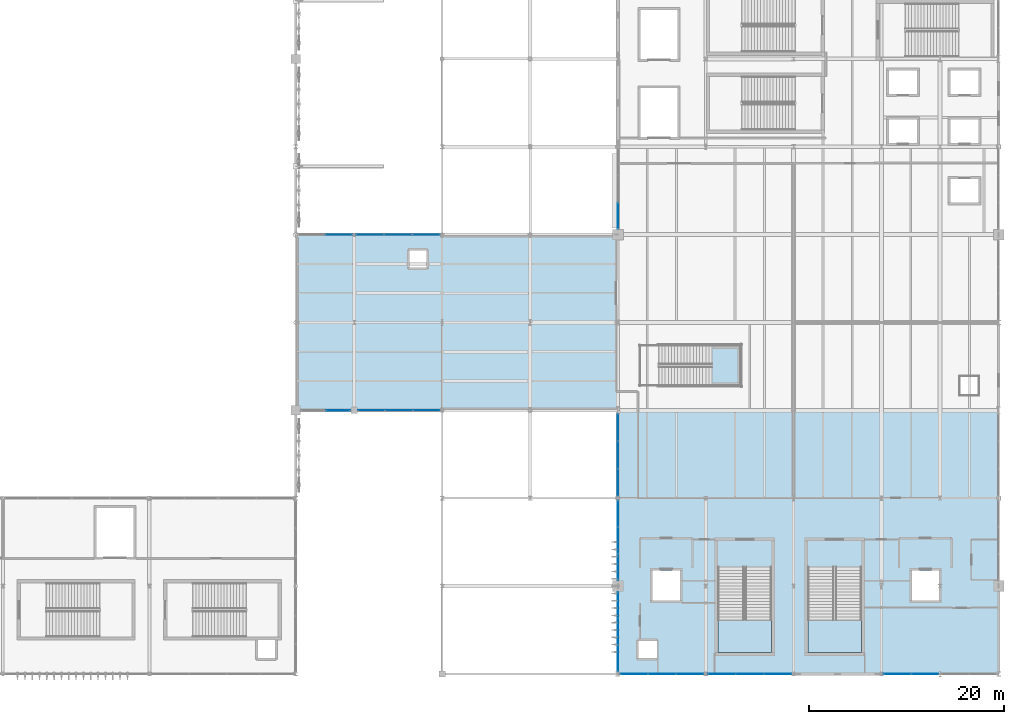
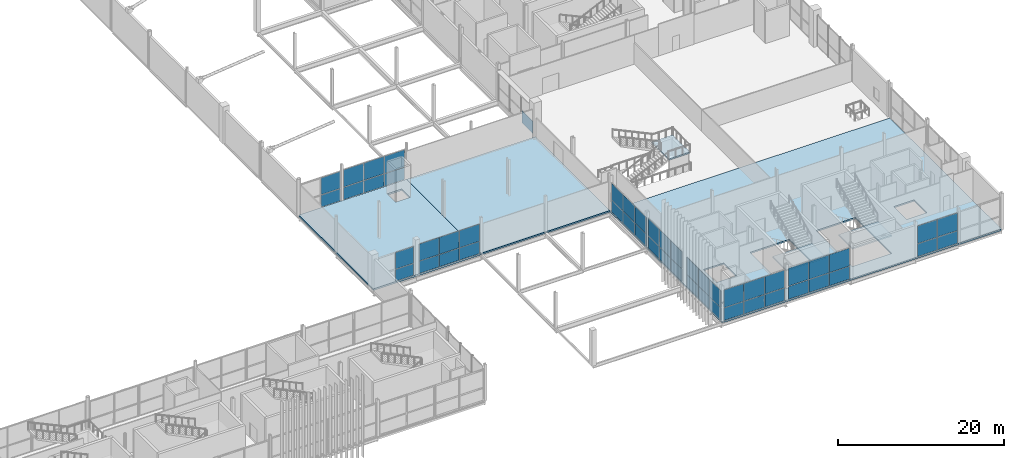
# One storey, part 78 of 119: 51 plates, 6 slabs, 14 elements without a shape of their own.
"""IFC4 building model written with IfcOpenShell, lengths in metres."""

import ifcopenshell
import ifcopenshell.guid

model = None  # the IFC model being written
_history = None  # IfcOwnerHistory: only IFC2X3 demands one
_inside = {}  # id of a spatial element -> (the spatial element, [elements in it])
_under = {}  # id of a project, library or spatial element -> (it, [spatial elements below it])
_declared = {}  # id of a project -> (the project, [libraries it declares])
_typed = {}  # id of a type object -> (the type object, [elements of that type])
_made_of = {}  # id of a material, layer set ... -> (it, [elements and type objects made of it])


def new_model(schema):
    """Start an empty IFC model of exactly this schema.

    Asked for "IFC4X3", IfcOpenShell would pick the latest addendum, in which some entities
    have other attributes; the version numbers below select the first issue.
    IFC2X3 requires an IfcOwnerHistory on every rooted entity: one is made here for all.
    """
    global model, _history
    if schema == "IFC4X3":
        model = ifcopenshell.file(schema_version=(4, 3, 0, 0))
    else:
        model = ifcopenshell.file(schema=schema)
    _inside.clear()
    _under.clear()
    _declared.clear()
    _typed.clear()
    _made_of.clear()
    _history = None
    if model.schema == "IFC2X3":
        org = make("IfcOrganization", Name="unknown")
        user = make(
            "IfcPersonAndOrganization",
            ThePerson=make("IfcPerson", FamilyName="unknown"),
            TheOrganization=org,
        )
        app = make(
            "IfcApplication",
            ApplicationDeveloper=org,
            Version="unknown",
            ApplicationFullName="unknown",
            ApplicationIdentifier="unknown",
        )
        _history = make(
            "IfcOwnerHistory",
            OwningUser=user,
            OwningApplication=app,
            ChangeAction="ADDED",
            CreationDate=0,
        )
    return model


def make(cls, **values):
    """One entity of the class cls with the attributes given. An attribute that is None is left unset."""
    return model.create_entity(
        cls, **{name: value for name, value in values.items() if value is not None}
    )


def rooted(cls, **values):
    """An entity with a GlobalId (a new one), such as an element, a storey or a relation."""
    return make(cls, GlobalId=ifcopenshell.guid.new(), OwnerHistory=_history, **values)


def si_unit(unit_type, name, prefix=None):
    """IfcSIUnit, for example si_unit("LENGTHUNIT", "METRE", prefix="MILLI")."""
    return make("IfcSIUnit", UnitType=unit_type, Prefix=prefix, Name=name)


def assignment(units):
    """IfcUnitAssignment: the units of a project."""
    return None if units is None else make("IfcUnitAssignment", Units=units)


def point(xyz):
    """IfcCartesianPoint."""
    return None if xyz is None else make("IfcCartesianPoint", Coordinates=xyz)


def direction(xyz):
    """IfcDirection."""
    return None if xyz is None else make("IfcDirection", DirectionRatios=xyz)


def frame(location, z_axis=None, x_axis=None):
    """IfcAxis2Placement3D, a coordinate frame: its origin and axes. An axis left out is left unset."""
    return make(
        "IfcAxis2Placement3D",
        Location=point(location),
        Axis=direction(z_axis),
        RefDirection=direction(x_axis),
    )


def frame_2d(location, x_axis=None):
    """IfcAxis2Placement2D, a coordinate frame in the plane: its origin and x axis."""
    return make(
        "IfcAxis2Placement2D", Location=point(location), RefDirection=direction(x_axis)
    )


def origin():
    """The frame at (0, 0, 0) with its axes left unset."""
    return frame((0.0, 0.0, 0.0))


def origin_2d():
    """The frame at (0, 0) in the plane with its x axis left unset."""
    return frame_2d((0.0, 0.0))


def place(relative_to, where):
    """IfcLocalPlacement: puts the frame where relative to a parent placement (None: the world)."""
    return make(
        "IfcLocalPlacement", PlacementRelTo=relative_to, RelativePlacement=where
    )


def context(
    kind, dimensions, precision=None, world=None, true_north=None, identifier=None
):
    """IfcGeometricRepresentationContext, for example the 3D "Model" context."""
    return make(
        "IfcGeometricRepresentationContext",
        ContextIdentifier=identifier,
        ContextType=kind,
        CoordinateSpaceDimension=dimensions,
        Precision=precision,
        WorldCoordinateSystem=world,
        TrueNorth=true_north,
    )


def subcontext(parent, identifier, kind, view, scale=None):
    """IfcGeometricRepresentationSubContext, for example "Body" below "Model"."""
    return make(
        "IfcGeometricRepresentationSubContext",
        ContextIdentifier=identifier,
        ContextType=kind,
        ParentContext=parent,
        TargetScale=scale,
        TargetView=view,
    )


def project(units=None, contexts=None):
    """IfcProject with its units and contexts."""
    return rooted(
        "IfcProject",
        Name="project",
        RepresentationContexts=contexts,
        UnitsInContext=assignment(units),
    )


def spatial(cls, under=None, at=None, **own):
    """A site, building, storey or space (cls), placed at a placement, below another one or the project."""
    s = rooted(cls, ObjectPlacement=at, **own)
    if under is not None:
        _under.setdefault(under.id(), (under, []))[1].append(s)
    return s


def polyline(points):
    """IfcPolyline through the points."""
    return make("IfcPolyline", Points=[point(p) for p in points])


def profile(cls, at=None, kind="AREA", **sizes):
    """A parametric profile (cls). Its sizes go by their IFC names, for example OverallWidth=200.0."""
    return make(cls, ProfileType=kind, Position=at, **sizes)


def rectangle(**sizes):
    """IfcRectangleProfileDef."""
    return profile("IfcRectangleProfileDef", **sizes)


def outline(outer, holes=None, kind="AREA"):
    """IfcArbitraryClosedProfileDef: a profile drawn as a closed curve; with holes, ...WithVoids."""
    if holes is None:
        return make("IfcArbitraryClosedProfileDef", ProfileType=kind, OuterCurve=outer)
    return make(
        "IfcArbitraryProfileDefWithVoids",
        ProfileType=kind,
        OuterCurve=outer,
        InnerCurves=holes,
    )


def extrude(swept, where, along, depth):
    """IfcExtrudedAreaSolid: the profile swept, set in the frame where, extruded along a direction by depth."""
    return make(
        "IfcExtrudedAreaSolid",
        SweptArea=swept,
        Position=where,
        ExtrudedDirection=direction(along),
        Depth=depth,
    )


def shape(context_of_items, identifier, shape_type, items):
    """IfcShapeRepresentation: the items that make up one representation, for example the "Body"."""
    return make(
        "IfcShapeRepresentation",
        ContextOfItems=context_of_items,
        RepresentationIdentifier=identifier,
        RepresentationType=shape_type,
        Items=items,
    )


def material(Name=None, Category=None):
    """IfcMaterial."""
    return make("IfcMaterial", Name=Name, Category=Category)


def layer(
    of_material, thickness, ventilated=None, Name=None, Category=None, Priority=None
):
    """IfcMaterialLayer: one layer of a wall or slab, of a material (None: an air gap)."""
    return make(
        "IfcMaterialLayer",
        Material=of_material,
        LayerThickness=thickness,
        IsVentilated=ventilated,
        Name=Name,
        Category=Category,
        Priority=Priority,
    )


def layer_set(layers, Name=None):
    """IfcMaterialLayerSet."""
    return make("IfcMaterialLayerSet", MaterialLayers=layers, LayerSetName=Name)


def made_of(thing, what):
    """Note that an element or type object is made of a material, layer set ...; save() writes the relation."""
    if what is not None:
        _made_of.setdefault(what.id(), (what, []))[1].append(thing)
    return thing


def type_object(cls, material=None, **own):
    """A type object (cls), such as IfcWallType, which elements share."""
    return made_of(rooted(cls, **own), material)


def element(
    cls,
    number,
    at=None,
    inside=None,
    cuts=None,
    type_object=None,
    material=None,
    context=None,
    identifier="Body",
    shape_type=None,
    held_by="IfcProductDefinitionShape",
    body=None,
    shapes=None,
    **own,
):
    """One element of the class cls, such as IfcWall. Its Tag is "e" and its number.

    at: its placement. inside: the storey or other place that contains it. cuts: it is an
    opening in that element (IfcRelVoidsElement). A single representation is given by context,
    identifier, shape_type and body (its items); several are given by shapes. held_by: the class
    of the entity that holds the representations. save() writes the other relations.
    """
    e = rooted(cls, Tag="e%d" % number, ObjectPlacement=at, **own)
    if body is not None:
        shapes = [shape(context, identifier, shape_type, body)]
    if shapes is not None:
        e.Representation = make(held_by, Representations=shapes)
    if inside is not None:
        _inside.setdefault(inside.id(), (inside, []))[1].append(e)
    if cuts is not None:
        rooted(
            "IfcRelVoidsElement", RelatingBuildingElement=cuts, RelatedOpeningElement=e
        )
    if type_object is not None:
        _typed.setdefault(type_object.id(), (type_object, []))[1].append(e)
    return made_of(e, material)


def aggregate(whole, parts):
    """IfcRelAggregates: a whole, such as a stair, and the parts it consists of."""
    return rooted("IfcRelAggregates", RelatingObject=whole, RelatedObjects=parts)


def save(model, path):
    """Write the relations noted so far, then the file.

    IfcRelAggregates (storeys below a building ...), IfcRelContainedInSpatialStructure (elements
    in a storey), IfcRelDefinesByType, IfcRelAssociatesMaterial and IfcRelDeclares: one each for
    every whole, place, type object, material and project.
    """
    for whole, parts in _under.values():
        aggregate(whole, parts)
    for where, things in _inside.values():
        rooted(
            "IfcRelContainedInSpatialStructure",
            RelatedElements=things,
            RelatingStructure=where,
        )
    for kind, things in _typed.values():
        rooted("IfcRelDefinesByType", RelatedObjects=things, RelatingType=kind)
    for what, things in _made_of.values():
        rooted("IfcRelAssociatesMaterial", RelatedObjects=things, RelatingMaterial=what)
    for by, libraries in _declared.values():
        rooted("IfcRelDeclares", RelatingContext=by, RelatedDefinitions=libraries)
    model.write(path)


model = new_model("IFC4")

# Units and contexts
model_context = context("Model", 3, precision=1e-05, world=origin(), true_north=direction((0.0, 1.0)))
body_context = subcontext(model_context, "Body", "Model", "MODEL_VIEW")
ifc_project = project(units=[si_unit("LENGTHUNIT", "METRE"), si_unit("AREAUNIT", "SQUARE_METRE"), si_unit("VOLUMEUNIT", "CUBIC_METRE"), si_unit("PLANEANGLEUNIT", "RADIAN"), si_unit("MASSUNIT", "GRAM", prefix="KILO")], contexts=[model_context])

# Site, building, storey
site_placement = place(None, origin())
site = spatial("IfcSite", under=ifc_project, at=site_placement, CompositionType="ELEMENT")
building_placement = place(site_placement, origin())
building = spatial("IfcBuilding", under=site, at=building_placement, Name="Qamarlyn Nura Convention Centre", CompositionType="ELEMENT")
storey_placement = place(building_placement, frame((0.0, 0.0, 5.39990234375)))
storey = spatial("IfcBuildingStorey", under=building, at=storey_placement, Name="L01", CompositionType="ELEMENT", Elevation=5.39990234375)

# Curtain wall, plates
ifc_material_1 = material(Name="Double-silver low-E insulated glass", Category="glass")
ifc_layer_1 = layer(ifc_material_1, 0.179931640625, Name="CW-UNIT-51")
ifc_layer_set_1 = layer_set([ifc_layer_1], Name="Double-silver low-E insulated glass")
curtain_wall_type_1 = type_object("IfcCurtainWallType", Name="CW-UNIT-51", PredefinedType="NOTDEFINED", material=ifc_layer_set_1)
curtain_wall_1_placement = place(storey_placement, origin())
curtain_wall_1 = element("IfcCurtainWall", 1, at=curtain_wall_1_placement, inside=storey, type_object=curtain_wall_type_1, Name="L01 unitised curtain wall BRG-N-1", PredefinedType="NOTDEFINED")
ifc_layer_2 = layer(ifc_material_1, 0.028076171875, Name="CWP-VIS-28")
ifc_layer_set_2 = layer_set([ifc_layer_2], Name="Double-silver low-E insulated glass")
plate_type_1 = type_object("IfcPlateType", Name="CWP-VIS-28", PredefinedType="CURTAIN_PANEL", material=ifc_layer_set_2)
plate_1_placement = place(storey_placement, frame((124.431640625, 45.0, 0.070068359375), z_axis=(0.0, 0.0, 1.0), x_axis=(1.0, 0.0, 0.0)))
plate_1 = element("IfcPlate", 2, at=plate_1_placement, type_object=plate_type_1, Name="CW51 panel 2.1", PredefinedType="CURTAIN_PANEL", context=body_context, shape_type="SweptSolid", body=[
    extrude(rectangle(XDim=2.691650390625, YDim=0.028076171875, at=origin_2d()), origin(), (0.0, 0.0, 1.0), 1.76904296875),
])
plate_2_placement = place(storey_placement, frame((124.431640625, 45.0, 1.9091796875), z_axis=(0.0, 0.0, 1.0), x_axis=(1.0, 0.0, 0.0)))
plate_2 = element("IfcPlate", 3, at=plate_2_placement, type_object=plate_type_1, Name="CW51 panel 2.2", PredefinedType="CURTAIN_PANEL", context=body_context, shape_type="SweptSolid", body=[
    extrude(rectangle(XDim=2.691650390625, YDim=0.028076171875, at=origin_2d()), origin(), (0.0, 0.0, 1.0), 2.48193359375),
])
aggregate(curtain_wall_1, [plate_1, plate_2])

ifc_layer_3 = layer(ifc_material_1, 0.179931640625, Name="CW-UNIT-52")
ifc_layer_set_3 = layer_set([ifc_layer_3], Name="Double-silver low-E insulated glass")
curtain_wall_type_2 = type_object("IfcCurtainWallType", Name="CW-UNIT-52", PredefinedType="NOTDEFINED", material=ifc_layer_set_3)
curtain_wall_2_placement = place(storey_placement, origin())
curtain_wall_2 = element("IfcCurtainWall", 4, at=curtain_wall_2_placement, inside=storey, type_object=curtain_wall_type_2, Name="L01 unitised curtain wall BRG-N-2", PredefinedType="NOTDEFINED")
plate_3_placement = place(storey_placement, frame((127.61376953125, 45.0, 0.06494140625), z_axis=(0.0, 0.0, 1.0), x_axis=(1.0, 0.0, 0.0)))
plate_3 = element("IfcPlate", 5, at=plate_3_placement, type_object=plate_type_1, Name="CW52 panel 1.1", PredefinedType="CURTAIN_PANEL", context=body_context, shape_type="SweptSolid", body=[
    extrude(rectangle(XDim=2.79248046875, YDim=0.028076171875, at=origin_2d()), origin(), (0.0, 0.0, 1.0), 1.806396484375),
])
plate_4_placement = place(storey_placement, frame((127.61376953125, 45.0, 1.9365234375), z_axis=(0.0, 0.0, 1.0), x_axis=(1.0, 0.0, 0.0)))
plate_4 = element("IfcPlate", 6, at=plate_4_placement, type_object=plate_type_1, Name="CW52 panel 1.2", PredefinedType="CURTAIN_PANEL", context=body_context, shape_type="SweptSolid", body=[
    extrude(rectangle(XDim=2.79248046875, YDim=0.028076171875, at=origin_2d()), origin(), (0.0, 0.0, 1.0), 2.532470703125),
])
plate_5_placement = place(storey_placement, frame((130.4873046875, 45.0, 0.06494140625), z_axis=(0.0, 0.0, 1.0), x_axis=(1.0, 0.0, 0.0)))
plate_5 = element("IfcPlate", 7, at=plate_5_placement, type_object=plate_type_1, Name="CW52 panel 2.1", PredefinedType="CURTAIN_PANEL", context=body_context, shape_type="SweptSolid", body=[
    extrude(rectangle(XDim=2.824951171875, YDim=0.028076171875, at=origin_2d()), origin(), (0.0, 0.0, 1.0), 1.806396484375),
])
plate_6_placement = place(storey_placement, frame((130.4873046875, 45.0, 1.9365234375), z_axis=(0.0, 0.0, 1.0), x_axis=(1.0, 0.0, 0.0)))
plate_6 = element("IfcPlate", 8, at=plate_6_placement, type_object=plate_type_1, Name="CW52 panel 2.2", PredefinedType="CURTAIN_PANEL", context=body_context, shape_type="SweptSolid", body=[
    extrude(rectangle(XDim=2.824951171875, YDim=0.028076171875, at=origin_2d()), origin(), (0.0, 0.0, 1.0), 2.532470703125),
])
plate_7_placement = place(storey_placement, frame((133.361083984375, 45.0, 0.06494140625), z_axis=(0.0, 0.0, 1.0), x_axis=(1.0, 0.0, 0.0)))
plate_7 = element("IfcPlate", 9, at=plate_7_placement, type_object=plate_type_1, Name="CW52 panel 3.1", PredefinedType="CURTAIN_PANEL", context=body_context, shape_type="SweptSolid", body=[
    extrude(rectangle(XDim=2.79248046875, YDim=0.028076171875, at=origin_2d()), origin(), (0.0, 0.0, 1.0), 1.806396484375),
])
plate_8_placement = place(storey_placement, frame((133.361083984375, 45.0, 1.9365234375), z_axis=(0.0, 0.0, 1.0), x_axis=(1.0, 0.0, 0.0)))
plate_8 = element("IfcPlate", 10, at=plate_8_placement, type_object=plate_type_1, Name="CW52 panel 3.2", PredefinedType="CURTAIN_PANEL", context=body_context, shape_type="SweptSolid", body=[
    extrude(rectangle(XDim=2.79248046875, YDim=0.028076171875, at=origin_2d()), origin(), (0.0, 0.0, 1.0), 2.532470703125),
])
aggregate(curtain_wall_2, [plate_3, plate_4, plate_5, plate_6, plate_7, plate_8])

ifc_layer_4 = layer(ifc_material_1, 0.179931640625, Name="CW-UNIT-53")
ifc_layer_set_4 = layer_set([ifc_layer_4], Name="Double-silver low-E insulated glass")
curtain_wall_type_3 = type_object("IfcCurtainWallType", Name="CW-UNIT-53", PredefinedType="NOTDEFINED", material=ifc_layer_set_4)
curtain_wall_3_placement = place(storey_placement, origin())
curtain_wall_3 = element("IfcCurtainWall", 11, at=curtain_wall_3_placement, inside=storey, type_object=curtain_wall_type_3, Name="L01 unitised curtain wall BRG-S-1", PredefinedType="NOTDEFINED")
plate_9_placement = place(storey_placement, frame((133.393310546875, 27.0, 0.06005859375), z_axis=(0.0, 0.0, 1.0), x_axis=(-1.0, 0.0, 0.0)))
plate_9 = element("IfcPlate", 12, at=plate_9_placement, type_object=plate_type_1, Name="CW53 panel 1.1", PredefinedType="CURTAIN_PANEL", context=body_context, shape_type="SweptSolid", body=[
    extrude(rectangle(XDim=2.743408203125, YDim=0.028076171875, at=origin_2d()), origin(), (0.0, 0.0, 1.0), 1.779052734375),
])
plate_10_placement = place(storey_placement, frame((133.393310546875, 27.0, 1.89892578125), z_axis=(0.0, 0.0, 1.0), x_axis=(-1.0, 0.0, 0.0)))
plate_10 = element("IfcPlate", 13, at=plate_10_placement, type_object=plate_type_1, Name="CW53 panel 1.2", PredefinedType="CURTAIN_PANEL", context=body_context, shape_type="SweptSolid", body=[
    extrude(rectangle(XDim=2.743408203125, YDim=0.028076171875, at=origin_2d()), origin(), (0.0, 0.0, 1.0), 2.490966796875),
])
plate_11_placement = place(storey_placement, frame((130.574951171875, 27.0, 0.06005859375), z_axis=(0.0, 0.0, 1.0), x_axis=(-1.0, 0.0, 0.0)))
plate_11 = element("IfcPlate", 14, at=plate_11_placement, type_object=plate_type_1, Name="CW53 panel 2.1", PredefinedType="CURTAIN_PANEL", context=body_context, shape_type="SweptSolid", body=[
    extrude(rectangle(XDim=2.7734375, YDim=0.028076171875, at=origin_2d()), origin(), (0.0, 0.0, 1.0), 1.779052734375),
])
plate_12_placement = place(storey_placement, frame((130.574951171875, 27.0, 1.89892578125), z_axis=(0.0, 0.0, 1.0), x_axis=(-1.0, 0.0, 0.0)))
plate_12 = element("IfcPlate", 15, at=plate_12_placement, type_object=plate_type_1, Name="CW53 panel 2.2", PredefinedType="CURTAIN_PANEL", context=body_context, shape_type="SweptSolid", body=[
    extrude(rectangle(XDim=2.7734375, YDim=0.028076171875, at=origin_2d()), origin(), (0.0, 0.0, 1.0), 2.490966796875),
])
plate_13_placement = place(storey_placement, frame((127.756591796875, 27.0, 0.06005859375), z_axis=(0.0, 0.0, 1.0), x_axis=(-1.0, 0.0, 0.0)))
plate_13 = element("IfcPlate", 16, at=plate_13_placement, type_object=plate_type_1, Name="CW53 panel 3.1", PredefinedType="CURTAIN_PANEL", context=body_context, shape_type="SweptSolid", body=[
    extrude(rectangle(XDim=2.743408203125, YDim=0.028076171875, at=origin_2d()), origin(), (0.0, 0.0, 1.0), 1.779052734375),
])
plate_14_placement = place(storey_placement, frame((127.756591796875, 27.0, 1.89892578125), z_axis=(0.0, 0.0, 1.0), x_axis=(-1.0, 0.0, 0.0)))
plate_14 = element("IfcPlate", 17, at=plate_14_placement, type_object=plate_type_1, Name="CW53 panel 3.2", PredefinedType="CURTAIN_PANEL", context=body_context, shape_type="SweptSolid", body=[
    extrude(rectangle(XDim=2.743408203125, YDim=0.028076171875, at=origin_2d()), origin(), (0.0, 0.0, 1.0), 2.490966796875),
])
aggregate(curtain_wall_3, [plate_9, plate_10, plate_11, plate_12, plate_13, plate_14])

ifc_layer_5 = layer(ifc_material_1, 0.179931640625, Name="CW-UNIT-76")
ifc_layer_set_5 = layer_set([ifc_layer_5], Name="Double-silver low-E insulated glass")
curtain_wall_type_4 = type_object("IfcCurtainWallType", Name="CW-UNIT-76", PredefinedType="NOTDEFINED", material=ifc_layer_set_5)
curtain_wall_4_placement = place(storey_placement, origin())
curtain_wall_4 = element("IfcCurtainWall", 18, at=curtain_wall_4_placement, inside=storey, type_object=curtain_wall_type_4, Name="L01 unitised curtain wall STH-1-1", PredefinedType="NOTDEFINED")
plate_15_placement = place(storey_placement, frame((160.3515625, 0.0, 0.06494140625), z_axis=(0.0, 0.0, 1.0), x_axis=(-1.0, 0.0, 0.0)))
plate_15 = element("IfcPlate", 19, at=plate_15_placement, type_object=plate_type_1, Name="CW76 panel 1.1", PredefinedType="CURTAIN_PANEL", context=body_context, shape_type="SweptSolid", body=[
    extrude(rectangle(XDim=2.767822265625, YDim=0.028076171875, at=origin_2d()), origin(), (0.0, 0.0, 1.0), 1.845458984375),
])
plate_16_placement = place(storey_placement, frame((160.3515625, 0.0, 1.9755859375), z_axis=(0.0, 0.0, 1.0), x_axis=(-1.0, 0.0, 0.0)))
plate_16 = element("IfcPlate", 20, at=plate_16_placement, type_object=plate_type_1, Name="CW76 panel 1.2", PredefinedType="CURTAIN_PANEL", context=body_context, shape_type="SweptSolid", body=[
    extrude(rectangle(XDim=2.767822265625, YDim=0.028076171875, at=origin_2d()), origin(), (0.0, 0.0, 1.0), 2.58544921875),
])
plate_17_placement = place(storey_placement, frame((157.50244140625, 0.0, 0.06494140625), z_axis=(0.0, 0.0, 1.0), x_axis=(-1.0, 0.0, 0.0)))
plate_17 = element("IfcPlate", 21, at=plate_17_placement, type_object=plate_type_1, Name="CW76 panel 2.1", PredefinedType="CURTAIN_PANEL", context=body_context, shape_type="SweptSolid", body=[
    extrude(rectangle(XDim=2.80029296875, YDim=0.028076171875, at=origin_2d()), origin(), (0.0, 0.0, 1.0), 1.845458984375),
])
plate_18_placement = place(storey_placement, frame((157.50244140625, 0.0, 1.9755859375), z_axis=(0.0, 0.0, 1.0), x_axis=(-1.0, 0.0, 0.0)))
plate_18 = element("IfcPlate", 22, at=plate_18_placement, type_object=plate_type_1, Name="CW76 panel 2.2", PredefinedType="CURTAIN_PANEL", context=body_context, shape_type="SweptSolid", body=[
    extrude(rectangle(XDim=2.80029296875, YDim=0.028076171875, at=origin_2d()), origin(), (0.0, 0.0, 1.0), 2.58544921875),
])
plate_19_placement = place(storey_placement, frame((154.6533203125, 0.0, 0.06494140625), z_axis=(0.0, 0.0, 1.0), x_axis=(-1.0, 0.0, 0.0)))
plate_19 = element("IfcPlate", 23, at=plate_19_placement, type_object=plate_type_1, Name="CW76 panel 3.1", PredefinedType="CURTAIN_PANEL", context=body_context, shape_type="SweptSolid", body=[
    extrude(rectangle(XDim=2.767822265625, YDim=0.028076171875, at=origin_2d()), origin(), (0.0, 0.0, 1.0), 1.845458984375),
])
plate_20_placement = place(storey_placement, frame((154.6533203125, 0.0, 1.9755859375), z_axis=(0.0, 0.0, 1.0), x_axis=(-1.0, 0.0, 0.0)))
plate_20 = element("IfcPlate", 24, at=plate_20_placement, type_object=plate_type_1, Name="CW76 panel 3.2", PredefinedType="CURTAIN_PANEL", context=body_context, shape_type="SweptSolid", body=[
    extrude(rectangle(XDim=2.767822265625, YDim=0.028076171875, at=origin_2d()), origin(), (0.0, 0.0, 1.0), 2.58544921875),
])
aggregate(curtain_wall_4, [plate_15, plate_16, plate_17, plate_18, plate_19, plate_20])

ifc_layer_6 = layer(ifc_material_1, 0.179931640625, Name="CW-UNIT-77")
ifc_layer_set_6 = layer_set([ifc_layer_6], Name="Double-silver low-E insulated glass")
curtain_wall_type_5 = type_object("IfcCurtainWallType", Name="CW-UNIT-77", PredefinedType="NOTDEFINED", material=ifc_layer_set_6)
curtain_wall_5_placement = place(storey_placement, origin())
curtain_wall_5 = element("IfcCurtainWall", 25, at=curtain_wall_5_placement, inside=storey, type_object=curtain_wall_type_5, Name="L01 unitised curtain wall STH-2-1", PredefinedType="NOTDEFINED")
plate_21_placement = place(storey_placement, frame((169.3623046875, 0.0, 0.06005859375), z_axis=(0.0, 0.0, 1.0), x_axis=(-1.0, 0.0, 0.0)))
plate_21 = element("IfcPlate", 26, at=plate_21_placement, type_object=plate_type_1, Name="CW77 panel 1.1", PredefinedType="CURTAIN_PANEL", context=body_context, shape_type="SweptSolid", body=[
    extrude(rectangle(XDim=2.78125, YDim=0.028076171875, at=origin_2d()), origin(), (0.0, 0.0, 1.0), 1.884033203125),
])
plate_22_placement = place(storey_placement, frame((169.3623046875, 0.0, 2.00390625), z_axis=(0.0, 0.0, 1.0), x_axis=(-1.0, 0.0, 0.0)))
plate_22 = element("IfcPlate", 27, at=plate_22_placement, type_object=plate_type_1, Name="CW77 panel 1.2", PredefinedType="CURTAIN_PANEL", context=body_context, shape_type="SweptSolid", body=[
    extrude(rectangle(XDim=2.78125, YDim=0.028076171875, at=origin_2d()), origin(), (0.0, 0.0, 1.0), 2.635009765625),
])
plate_23_placement = place(storey_placement, frame((166.50634765625, 0.0, 0.06005859375), z_axis=(0.0, 0.0, 1.0), x_axis=(-1.0, 0.0, 0.0)))
plate_23 = element("IfcPlate", 28, at=plate_23_placement, type_object=plate_type_1, Name="CW77 panel 2.1", PredefinedType="CURTAIN_PANEL", context=body_context, shape_type="SweptSolid", body=[
    extrude(rectangle(XDim=2.811279296875, YDim=0.028076171875, at=origin_2d()), origin(), (0.0, 0.0, 1.0), 1.884033203125),
])
plate_24_placement = place(storey_placement, frame((166.50634765625, 0.0, 2.00390625), z_axis=(0.0, 0.0, 1.0), x_axis=(-1.0, 0.0, 0.0)))
plate_24 = element("IfcPlate", 29, at=plate_24_placement, type_object=plate_type_1, Name="CW77 panel 2.2", PredefinedType="CURTAIN_PANEL", context=body_context, shape_type="SweptSolid", body=[
    extrude(rectangle(XDim=2.811279296875, YDim=0.028076171875, at=origin_2d()), origin(), (0.0, 0.0, 1.0), 2.635009765625),
])
plate_25_placement = place(storey_placement, frame((163.650146484375, 0.0, 0.06005859375), z_axis=(0.0, 0.0, 1.0), x_axis=(-1.0, 0.0, 0.0)))
plate_25 = element("IfcPlate", 30, at=plate_25_placement, type_object=plate_type_1, Name="CW77 panel 3.1", PredefinedType="CURTAIN_PANEL", context=body_context, shape_type="SweptSolid", body=[
    extrude(rectangle(XDim=2.78125, YDim=0.028076171875, at=origin_2d()), origin(), (0.0, 0.0, 1.0), 1.884033203125),
])
plate_26_placement = place(storey_placement, frame((163.650146484375, 0.0, 2.00390625), z_axis=(0.0, 0.0, 1.0), x_axis=(-1.0, 0.0, 0.0)))
plate_26 = element("IfcPlate", 31, at=plate_26_placement, type_object=plate_type_1, Name="CW77 panel 3.2", PredefinedType="CURTAIN_PANEL", context=body_context, shape_type="SweptSolid", body=[
    extrude(rectangle(XDim=2.78125, YDim=0.028076171875, at=origin_2d()), origin(), (0.0, 0.0, 1.0), 2.635009765625),
])
aggregate(curtain_wall_5, [plate_21, plate_22, plate_23, plate_24, plate_25, plate_26])

ifc_layer_7 = layer(ifc_material_1, 0.179931640625, Name="CW-UNIT-63")
ifc_layer_set_7 = layer_set([ifc_layer_7], Name="Double-silver low-E insulated glass")
curtain_wall_type_6 = type_object("IfcCurtainWallType", Name="CW-UNIT-63", PredefinedType="NOTDEFINED", material=ifc_layer_set_7)
curtain_wall_6_placement = place(storey_placement, origin())
curtain_wall_6 = element("IfcCurtainWall", 32, at=curtain_wall_6_placement, inside=storey, type_object=curtain_wall_type_6, Name="L01 unitised curtain wall FCW-0-1", PredefinedType="NOTDEFINED")
plate_27_placement = place(storey_placement, frame((153.0, 1.600341796875, 0.06005859375), z_axis=(0.0, 0.0, 1.0), x_axis=(0.0, 1.0, 0.0)))
plate_27 = element("IfcPlate", 33, at=plate_27_placement, type_object=plate_type_1, Name="CW63 panel 1.1", PredefinedType="CURTAIN_PANEL", context=body_context, shape_type="SweptSolid", body=[
    extrude(rectangle(XDim=2.65576171875, YDim=0.028076171875, at=origin_2d()), origin(), (0.0, 0.0, 1.0), 1.7919921875),
])
plate_28_placement = place(storey_placement, frame((153.0, 1.600341796875, 1.912109375), z_axis=(0.0, 0.0, 1.0), x_axis=(0.0, 1.0, 0.0)))
plate_28 = element("IfcPlate", 34, at=plate_28_placement, type_object=plate_type_1, Name="CW63 panel 1.2", PredefinedType="CURTAIN_PANEL", context=body_context, shape_type="SweptSolid", body=[
    extrude(rectangle(XDim=2.65576171875, YDim=0.028076171875, at=origin_2d()), origin(), (0.0, 0.0, 1.0), 2.509033203125),
])
plate_29_placement = place(storey_placement, frame((153.0, 4.331298828125, 0.06005859375), z_axis=(0.0, 0.0, 1.0), x_axis=(0.0, 1.0, 0.0)))
plate_29 = element("IfcPlate", 35, at=plate_29_placement, type_object=plate_type_1, Name="CW63 panel 2.1", PredefinedType="CURTAIN_PANEL", context=body_context, shape_type="SweptSolid", body=[
    extrude(rectangle(XDim=2.685791015625, YDim=0.028076171875, at=origin_2d()), origin(), (0.0, 0.0, 1.0), 1.7919921875),
])
plate_30_placement = place(storey_placement, frame((153.0, 4.331298828125, 1.912109375), z_axis=(0.0, 0.0, 1.0), x_axis=(0.0, 1.0, 0.0)))
plate_30 = element("IfcPlate", 36, at=plate_30_placement, type_object=plate_type_1, Name="CW63 panel 2.2", PredefinedType="CURTAIN_PANEL", context=body_context, shape_type="SweptSolid", body=[
    extrude(rectangle(XDim=2.685791015625, YDim=0.028076171875, at=origin_2d()), origin(), (0.0, 0.0, 1.0), 2.509033203125),
])
plate_31_placement = place(storey_placement, frame((153.0, 7.06201171875, 0.06005859375), z_axis=(0.0, 0.0, 1.0), x_axis=(0.0, 1.0, 0.0)))
plate_31 = element("IfcPlate", 37, at=plate_31_placement, type_object=plate_type_1, Name="CW63 panel 3.1", PredefinedType="CURTAIN_PANEL", context=body_context, shape_type="SweptSolid", body=[
    extrude(rectangle(XDim=2.65576171875, YDim=0.028076171875, at=origin_2d()), origin(), (0.0, 0.0, 1.0), 1.7919921875),
])
plate_32_placement = place(storey_placement, frame((153.0, 7.06201171875, 1.912109375), z_axis=(0.0, 0.0, 1.0), x_axis=(0.0, 1.0, 0.0)))
plate_32 = element("IfcPlate", 38, at=plate_32_placement, type_object=plate_type_1, Name="CW63 panel 3.2", PredefinedType="CURTAIN_PANEL", context=body_context, shape_type="SweptSolid", body=[
    extrude(rectangle(XDim=2.65576171875, YDim=0.028076171875, at=origin_2d()), origin(), (0.0, 0.0, 1.0), 2.509033203125),
])
aggregate(curtain_wall_6, [plate_27, plate_28, plate_29, plate_30, plate_31, plate_32])

ifc_layer_8 = layer(ifc_material_1, 0.179931640625, Name="CW-UNIT-80")
ifc_layer_set_8 = layer_set([ifc_layer_8], Name="Double-silver low-E insulated glass")
curtain_wall_type_7 = type_object("IfcCurtainWallType", Name="CW-UNIT-80", PredefinedType="NOTDEFINED", material=ifc_layer_set_8)
curtain_wall_7_placement = place(storey_placement, origin())
curtain_wall_7 = element("IfcCurtainWall", 39, at=curtain_wall_7_placement, inside=storey, type_object=curtain_wall_type_7, Name="L01 unitised curtain wall FCW-9-1", PredefinedType="NOTDEFINED")
plate_33_placement = place(storey_placement, frame((153.0, 10.9423828125, 0.070068359375), z_axis=(0.0, 0.0, 1.0), x_axis=(0.0, 1.0, 0.0)))
plate_33 = element("IfcPlate", 40, at=plate_33_placement, type_object=plate_type_1, Name="CW80 panel 1.1", PredefinedType="CURTAIN_PANEL", context=body_context, shape_type="SweptSolid", body=[
    extrude(rectangle(XDim=2.64501953125, YDim=0.028076171875, at=origin_2d()), origin(), (0.0, 0.0, 1.0), 1.80810546875),
])
plate_34_placement = place(storey_placement, frame((153.0, 10.9423828125, 1.9482421875), z_axis=(0.0, 0.0, 1.0), x_axis=(0.0, 1.0, 0.0)))
plate_34 = element("IfcPlate", 41, at=plate_34_placement, type_object=plate_type_1, Name="CW80 panel 1.2", PredefinedType="CURTAIN_PANEL", context=body_context, shape_type="SweptSolid", body=[
    extrude(rectangle(XDim=2.64501953125, YDim=0.028076171875, at=origin_2d()), origin(), (0.0, 0.0, 1.0), 2.535888671875),
])
plate_35_placement = place(storey_placement, frame((153.0, 13.675048828125, 0.070068359375), z_axis=(0.0, 0.0, 1.0), x_axis=(0.0, 1.0, 0.0)))
plate_35 = element("IfcPlate", 42, at=plate_35_placement, type_object=plate_type_1, Name="CW80 panel 2.1", PredefinedType="CURTAIN_PANEL", context=body_context, shape_type="SweptSolid", body=[
    extrude(rectangle(XDim=2.679931640625, YDim=0.028076171875, at=origin_2d()), origin(), (0.0, 0.0, 1.0), 1.80810546875),
])
plate_36_placement = place(storey_placement, frame((153.0, 13.675048828125, 1.9482421875), z_axis=(0.0, 0.0, 1.0), x_axis=(0.0, 1.0, 0.0)))
plate_36 = element("IfcPlate", 43, at=plate_36_placement, type_object=plate_type_1, Name="CW80 panel 2.2", PredefinedType="CURTAIN_PANEL", context=body_context, shape_type="SweptSolid", body=[
    extrude(rectangle(XDim=2.679931640625, YDim=0.028076171875, at=origin_2d()), origin(), (0.0, 0.0, 1.0), 2.535888671875),
])
plate_37_placement = place(storey_placement, frame((153.0, 16.407470703125, 0.070068359375), z_axis=(0.0, 0.0, 1.0), x_axis=(0.0, 1.0, 0.0)))
plate_37 = element("IfcPlate", 44, at=plate_37_placement, type_object=plate_type_1, Name="CW80 panel 3.1", PredefinedType="CURTAIN_PANEL", context=body_context, shape_type="SweptSolid", body=[
    extrude(rectangle(XDim=2.64501953125, YDim=0.028076171875, at=origin_2d()), origin(), (0.0, 0.0, 1.0), 1.80810546875),
])
plate_38_placement = place(storey_placement, frame((153.0, 16.407470703125, 1.9482421875), z_axis=(0.0, 0.0, 1.0), x_axis=(0.0, 1.0, 0.0)))
plate_38 = element("IfcPlate", 45, at=plate_38_placement, type_object=plate_type_1, Name="CW80 panel 3.2", PredefinedType="CURTAIN_PANEL", context=body_context, shape_type="SweptSolid", body=[
    extrude(rectangle(XDim=2.64501953125, YDim=0.028076171875, at=origin_2d()), origin(), (0.0, 0.0, 1.0), 2.535888671875),
])
aggregate(curtain_wall_7, [plate_33, plate_34, plate_35, plate_36, plate_37, plate_38])

# Curtain wall, plate
ifc_layer_9 = layer(ifc_material_1, 0.179931640625, Name="CW-UNIT-82")
ifc_layer_set_9 = layer_set([ifc_layer_9], Name="Double-silver low-E insulated glass")
curtain_wall_type_8 = type_object("IfcCurtainWallType", Name="CW-UNIT-82", PredefinedType="NOTDEFINED", material=ifc_layer_set_9)
curtain_wall_8_placement = place(storey_placement, origin())
curtain_wall_8 = element("IfcCurtainWall", 46, at=curtain_wall_8_placement, inside=storey, type_object=curtain_wall_type_8, Name="L01 unitised curtain wall CRT-45-1", PredefinedType="NOTDEFINED")
plate_39_placement = place(storey_placement, frame((153.0, 46.93994140625, 0.06005859375), z_axis=(0.0, 0.0, 1.0), x_axis=(0.0, 1.0, 0.0)))
plate_39 = element("IfcPlate", 47, at=plate_39_placement, type_object=plate_type_1, Name="CW82 panel 1.1", PredefinedType="CURTAIN_PANEL", context=body_context, shape_type="SweptSolid", body=[
    extrude(rectangle(XDim=2.659912109375, YDim=0.028076171875, at=origin_2d()), origin(), (0.0, 0.0, 1.0), 1.805908203125),
])
aggregate(curtain_wall_8, [plate_39])

# Curtain wall, plates
ifc_layer_10 = layer(ifc_material_1, 0.179931640625, Name="CW-UNIT-54")
ifc_layer_set_10 = layer_set([ifc_layer_10], Name="Double-silver low-E insulated glass")
curtain_wall_type_9 = type_object("IfcCurtainWallType", Name="CW-UNIT-54", PredefinedType="NOTDEFINED", material=ifc_layer_set_10)
curtain_wall_9_placement = place(storey_placement, origin())
curtain_wall_9 = element("IfcCurtainWall", 48, at=curtain_wall_9_placement, inside=storey, type_object=curtain_wall_type_9, Name="L01 unitised curtain wall BRG-S-2", PredefinedType="NOTDEFINED")
ifc_layer_11 = layer(ifc_material_1, 0.031982421875, Name="CWP-VIS-32")
ifc_layer_set_11 = layer_set([ifc_layer_11], Name="Double-silver low-E insulated glass")
plate_type_2 = type_object("IfcPlateType", Name="CWP-VIS-32", PredefinedType="CURTAIN_PANEL", material=ifc_layer_set_11)
plate_40_placement = place(storey_placement, frame((124.357421875, 27.0, 0.070068359375), z_axis=(0.0, 0.0, 1.0), x_axis=(-1.0, 0.0, 0.0)))
plate_40 = element("IfcPlate", 49, at=plate_40_placement, type_object=plate_type_2, Name="CW54 panel 1.1", PredefinedType="CURTAIN_PANEL", context=body_context, shape_type="SweptSolid", body=[
    extrude(rectangle(XDim=2.4951171875, YDim=0.031982421875, at=origin_2d()), origin(), (0.0, 0.0, 1.0), 1.73095703125),
])
plate_41_placement = place(storey_placement, frame((124.357421875, 27.0, 1.87109375), z_axis=(0.0, 0.0, 1.0), x_axis=(-1.0, 0.0, 0.0)))
plate_41 = element("IfcPlate", 50, at=plate_41_placement, type_object=plate_type_2, Name="CW54 panel 1.2", PredefinedType="CURTAIN_PANEL", context=body_context, shape_type="SweptSolid", body=[
    extrude(rectangle(XDim=2.4951171875, YDim=0.031982421875, at=origin_2d()), origin(), (0.0, 0.0, 1.0), 2.430908203125),
])
aggregate(curtain_wall_9, [plate_40, plate_41])

ifc_layer_12 = layer(ifc_material_1, 0.179931640625, Name="CW-UNIT-78")
ifc_layer_set_12 = layer_set([ifc_layer_12], Name="Double-silver low-E insulated glass")
curtain_wall_type_10 = type_object("IfcCurtainWallType", Name="CW-UNIT-78", PredefinedType="NOTDEFINED", material=ifc_layer_set_12)
curtain_wall_10_placement = place(storey_placement, origin())
curtain_wall_10 = element("IfcCurtainWall", 51, at=curtain_wall_10_placement, inside=storey, type_object=curtain_wall_type_10, Name="L01 unitised curtain wall STH-4-1", PredefinedType="NOTDEFINED")
plate_42_placement = place(storey_placement, frame((184.449462890625, 0.0, 0.070068359375), z_axis=(0.0, 0.0, 1.0), x_axis=(-1.0, 0.0, 0.0)))
plate_42 = element("IfcPlate", 52, at=plate_42_placement, type_object=plate_type_2, Name="CW78 panel 1.1", PredefinedType="CURTAIN_PANEL", context=body_context, shape_type="SweptSolid", body=[
    extrude(rectangle(XDim=2.75, YDim=0.031982421875, at=origin_2d()), origin(), (0.0, 0.0, 1.0), 1.837890625),
])
plate_43_placement = place(storey_placement, frame((184.449462890625, 0.0, 1.97802734375), z_axis=(0.0, 0.0, 1.0), x_axis=(-1.0, 0.0, 0.0)))
plate_43 = element("IfcPlate", 53, at=plate_43_placement, type_object=plate_type_2, Name="CW78 panel 1.2", PredefinedType="CURTAIN_PANEL", context=body_context, shape_type="SweptSolid", body=[
    extrude(rectangle(XDim=2.75, YDim=0.031982421875, at=origin_2d()), origin(), (0.0, 0.0, 1.0), 2.577880859375),
])
plate_44_placement = place(storey_placement, frame((181.62939453125, 0.0, 0.070068359375), z_axis=(0.0, 0.0, 1.0), x_axis=(-1.0, 0.0, 0.0)))
plate_44 = element("IfcPlate", 54, at=plate_44_placement, type_object=plate_type_2, Name="CW78 panel 2.1", PredefinedType="CURTAIN_PANEL", context=body_context, shape_type="SweptSolid", body=[
    extrude(rectangle(XDim=2.75, YDim=0.031982421875, at=origin_2d()), origin(), (0.0, 0.0, 1.0), 1.837890625),
])
plate_45_placement = place(storey_placement, frame((181.62939453125, 0.0, 1.97802734375), z_axis=(0.0, 0.0, 1.0), x_axis=(-1.0, 0.0, 0.0)))
plate_45 = element("IfcPlate", 55, at=plate_45_placement, type_object=plate_type_2, Name="CW78 panel 2.2", PredefinedType="CURTAIN_PANEL", context=body_context, shape_type="SweptSolid", body=[
    extrude(rectangle(XDim=2.75, YDim=0.031982421875, at=origin_2d()), origin(), (0.0, 0.0, 1.0), 2.577880859375),
])
aggregate(curtain_wall_10, [plate_42, plate_43, plate_44, plate_45])

ifc_layer_13 = layer(ifc_material_1, 0.179931640625, Name="CW-UNIT-81")
ifc_layer_set_13 = layer_set([ifc_layer_13], Name="Double-silver low-E insulated glass")
curtain_wall_type_11 = type_object("IfcCurtainWallType", Name="CW-UNIT-81", PredefinedType="NOTDEFINED", material=ifc_layer_set_13)
curtain_wall_11_placement = place(storey_placement, origin())
curtain_wall_11 = element("IfcCurtainWall", 56, at=curtain_wall_11_placement, inside=storey, type_object=curtain_wall_type_11, Name="L01 unitised curtain wall FCW-18-1", PredefinedType="NOTDEFINED")
plate_46_placement = place(storey_placement, frame((153.0, 19.625, 0.065185546875), z_axis=(0.0, 0.0, 1.0), x_axis=(0.0, 1.0, 0.0)))
plate_46 = element("IfcPlate", 57, at=plate_46_placement, type_object=plate_type_2, Name="CW81 panel 1.1", PredefinedType="CURTAIN_PANEL", context=body_context, shape_type="SweptSolid", body=[
    extrude(rectangle(XDim=2.719970703125, YDim=0.031982421875, at=origin_2d()), origin(), (0.0, 0.0, 1.0), 1.73046875),
])
plate_47_placement = place(storey_placement, frame((153.0, 19.625, 1.8603515625), z_axis=(0.0, 0.0, 1.0), x_axis=(0.0, 1.0, 0.0)))
plate_47 = element("IfcPlate", 58, at=plate_47_placement, type_object=plate_type_2, Name="CW81 panel 1.2", PredefinedType="CURTAIN_PANEL", context=body_context, shape_type="SweptSolid", body=[
    extrude(rectangle(XDim=2.719970703125, YDim=0.031982421875, at=origin_2d()), origin(), (0.0, 0.0, 1.0), 2.426513671875),
])
plate_48_placement = place(storey_placement, frame((153.0, 22.42626953125, 0.065185546875), z_axis=(0.0, 0.0, 1.0), x_axis=(0.0, 1.0, 0.0)))
plate_48 = element("IfcPlate", 59, at=plate_48_placement, type_object=plate_type_2, Name="CW81 panel 2.1", PredefinedType="CURTAIN_PANEL", context=body_context, shape_type="SweptSolid", body=[
    extrude(rectangle(XDim=2.75244140625, YDim=0.031982421875, at=origin_2d()), origin(), (0.0, 0.0, 1.0), 1.73046875),
])
plate_49_placement = place(storey_placement, frame((153.0, 22.42626953125, 1.8603515625), z_axis=(0.0, 0.0, 1.0), x_axis=(0.0, 1.0, 0.0)))
plate_49 = element("IfcPlate", 60, at=plate_49_placement, type_object=plate_type_2, Name="CW81 panel 2.2", PredefinedType="CURTAIN_PANEL", context=body_context, shape_type="SweptSolid", body=[
    extrude(rectangle(XDim=2.75244140625, YDim=0.031982421875, at=origin_2d()), origin(), (0.0, 0.0, 1.0), 2.426513671875),
])
plate_50_placement = place(storey_placement, frame((153.0, 25.2275390625, 0.065185546875), z_axis=(0.0, 0.0, 1.0), x_axis=(0.0, 1.0, 0.0)))
plate_50 = element("IfcPlate", 61, at=plate_50_placement, type_object=plate_type_2, Name="CW81 panel 3.1", PredefinedType="CURTAIN_PANEL", context=body_context, shape_type="SweptSolid", body=[
    extrude(rectangle(XDim=2.719970703125, YDim=0.031982421875, at=origin_2d()), origin(), (0.0, 0.0, 1.0), 1.73046875),
])
plate_51_placement = place(storey_placement, frame((153.0, 25.2275390625, 1.8603515625), z_axis=(0.0, 0.0, 1.0), x_axis=(0.0, 1.0, 0.0)))
plate_51 = element("IfcPlate", 62, at=plate_51_placement, type_object=plate_type_2, Name="CW81 panel 3.2", PredefinedType="CURTAIN_PANEL", context=body_context, shape_type="SweptSolid", body=[
    extrude(rectangle(XDim=2.719970703125, YDim=0.031982421875, at=origin_2d()), origin(), (0.0, 0.0, 1.0), 2.426513671875),
])
aggregate(curtain_wall_11, [plate_46, plate_47, plate_48, plate_49, plate_50, plate_51])

# Slabs
ifc_material_2 = material(Name="Concrete C40/50", Category="concrete")
ifc_layer_14 = layer(ifc_material_2, 0.219970703125, Name="SL-L01")
ifc_layer_set_14 = layer_set([ifc_layer_14], Name="Concrete C40/50")
slab_type_1 = type_object("IfcSlabType", Name="SL-L01", PredefinedType="FLOOR", material=ifc_layer_set_14)
slab_1_placement = place(storey_placement, frame((0.0, 0.0, -0.219970703125)))
element("IfcSlab", 63, at=slab_1_placement, inside=storey, type_object=slab_type_1, Name="L01 floor slab L01-RCW", PredefinedType="FLOOR", context=body_context, shape_type="SweptSolid", body=[
    extrude(outline(polyline([(135.0, 27.0), (135.0, 45.0), (153.0, 45.0), (153.0, 27.0), (135.0, 27.0)])), origin(), (0.0, 0.0, 1.0), 0.219970703125),
])
slab_2_placement = place(storey_placement, frame((0.0, 0.0, -0.219970703125)))
element("IfcSlab", 64, at=slab_2_placement, inside=storey, type_object=slab_type_1, Name="L01 floor slab L01-E1", PredefinedType="FLOOR", context=body_context, shape_type="SweptSolid", body=[
    extrude(outline(polyline([(153.0, 27.0), (192.0, 27.0), (192.0, 0.0), (153.0, 0.0), (153.0, 27.0)]), holes=[polyline([(155.0, 3.5), (155.0, 1.5), (157.0, 1.5), (157.0, 3.5), (155.0, 3.5)]), polyline([(156.550048828125, 7.5), (159.35009765625, 7.5), (159.35009765625, 10.60009765625), (156.550048828125, 10.60009765625), (156.550048828125, 7.5)]), polyline([(163.25, 10.93994140625), (163.25, 2.199951171875), (168.75, 2.199951171875), (168.75, 10.93994140625), (163.25, 10.93994140625)]), polyline([(172.449951171875, 10.93994140625), (172.449951171875, 2.199951171875), (177.949951171875, 2.199951171875), (177.949951171875, 10.93994140625), (172.449951171875, 10.93994140625)]), polyline([(185.89990234375, 7.5), (185.89990234375, 10.60009765625), (183.10009765625, 10.60009765625), (183.10009765625, 7.5), (185.89990234375, 7.5)])]), origin(), (0.0, 0.0, 1.0), 0.219970703125),
])
ifc_layer_15 = layer(ifc_material_2, 0.239990234375, Name="SL-L01-BR")
ifc_layer_set_15 = layer_set([ifc_layer_15], Name="Concrete C40/50")
slab_type_2 = type_object("IfcSlabType", Name="SL-L01-BR", PredefinedType="FLOOR", material=ifc_layer_set_15)
slab_3_placement = place(storey_placement, frame((0.0, 0.0, -0.239990234375)))
element("IfcSlab", 65, at=slab_3_placement, inside=storey, type_object=slab_type_2, Name="L01 floor slab L01-BRG", PredefinedType="FLOOR", context=body_context, shape_type="SweptSolid", body=[
    extrude(outline(polyline([(120.0, 45.0), (135.0, 45.0), (135.0, 27.0), (120.0, 27.0), (120.0, 45.0)]), holes=[polyline([(131.5, 43.5), (131.5, 41.5), (133.5, 41.5), (133.5, 43.5), (131.5, 43.5)])]), origin(), (0.0, 0.0, 1.0), 0.239990234375),
])

# Stair, slab
stair_type_1 = type_object("IfcStairType", Name="STAIR-EXIT-54", PredefinedType="HALF_TURN_STAIR", material=ifc_material_2)
stair_1_placement = place(storey_placement, origin())
stair_1 = element("IfcStair", 66, at=stair_1_placement, inside=storey, type_object=stair_type_1, Name="L01 Enclosed exit stair ST-09", PredefinedType="HALF_TURN_STAIR")
ifc_layer_16 = layer(ifc_material_2, 0.199951171875, Name="SL-LAND-200")
ifc_layer_set_16 = layer_set([ifc_layer_16], Name="Concrete C40/50")
slab_type_3 = type_object("IfcSlabType", Name="SL-LAND-200", PredefinedType="LANDING", material=ifc_layer_set_16)
slab_4_placement = place(storey_placement, frame((0.0, 0.0, 2.5)))
slab_4 = element("IfcSlab", 67, at=slab_4_placement, type_object=slab_type_3, Name="ST-09 landing 1", PredefinedType="LANDING", context=body_context, shape_type="SweptSolid", body=[
    extrude(outline(polyline([(163.25, 5.5), (163.25, 2.199951171875), (168.75, 2.199951171875), (168.75, 5.5), (163.25, 5.5)])), origin(), (0.0, 0.0, 1.0), 0.2001953125),
])
aggregate(stair_1, [slab_4])

stair_2_placement = place(storey_placement, origin())
stair_2 = element("IfcStair", 68, at=stair_2_placement, inside=storey, type_object=stair_type_1, Name="L01 Enclosed exit stair ST-10", PredefinedType="HALF_TURN_STAIR")
slab_5_placement = place(storey_placement, frame((0.0, 0.0, 2.5)))
slab_5 = element("IfcSlab", 69, at=slab_5_placement, type_object=slab_type_3, Name="ST-10 landing 1", PredefinedType="LANDING", context=body_context, shape_type="SweptSolid", body=[
    extrude(outline(polyline([(172.449951171875, 5.5), (172.449951171875, 2.199951171875), (177.949951171875, 2.199951171875), (177.949951171875, 5.5), (172.449951171875, 5.5)])), origin(), (0.0, 0.0, 1.0), 0.2001953125),
])
aggregate(stair_2, [slab_5])

stair_type_2 = type_object("IfcStairType", Name="STAIR-FOY2-54", PredefinedType="HALF_TURN_STAIR", material=ifc_material_2)
stair_3_placement = place(storey_placement, origin())
stair_3 = element("IfcStair", 70, at=stair_3_placement, inside=storey, type_object=stair_type_2, Name="L01 Foyer feature stair ST-20", PredefinedType="HALF_TURN_STAIR")
slab_6_placement = place(storey_placement, frame((0.0, 0.0, 2.5)))
slab_6 = element("IfcSlab", 71, at=slab_6_placement, type_object=slab_type_3, Name="ST-20 landing 1", PredefinedType="LANDING", context=body_context, shape_type="SweptSolid", body=[
    extrude(outline(polyline([(162.639892578125, 29.5), (165.60009765625, 29.5), (165.60009765625, 33.679931640625), (162.639892578125, 33.679931640625), (162.639892578125, 29.5)])), origin(), (0.0, 0.0, 1.0), 0.2001953125),
])
aggregate(stair_3, [slab_6])

save(model, "model.ifc")
